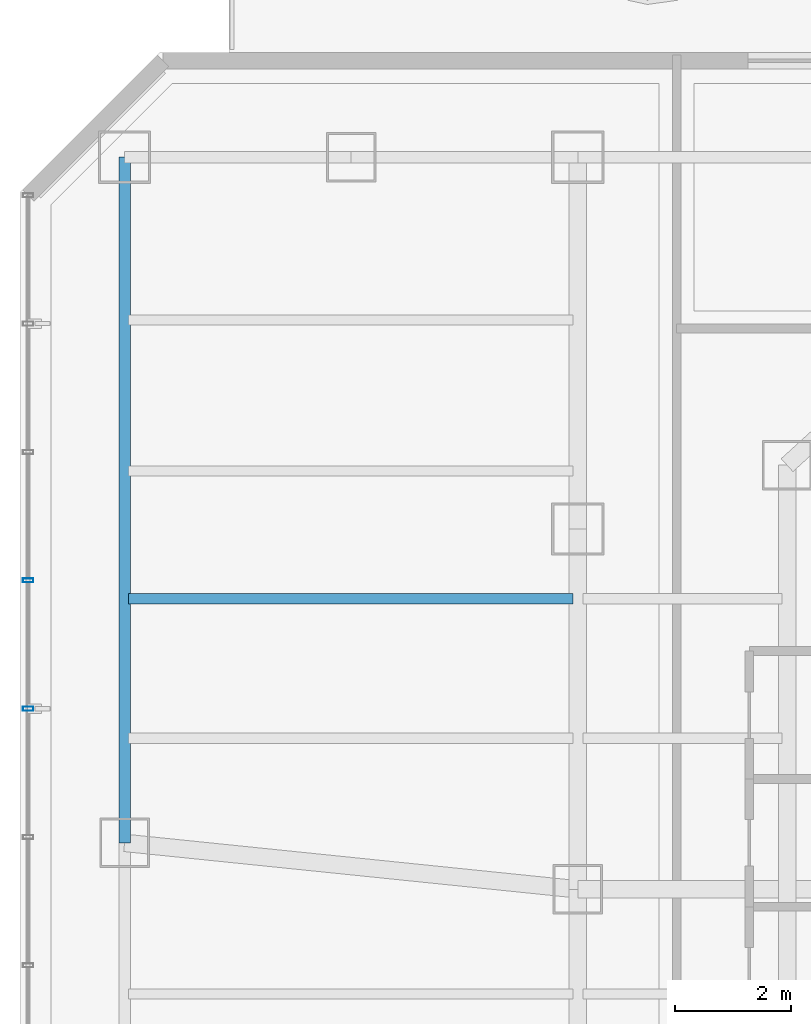
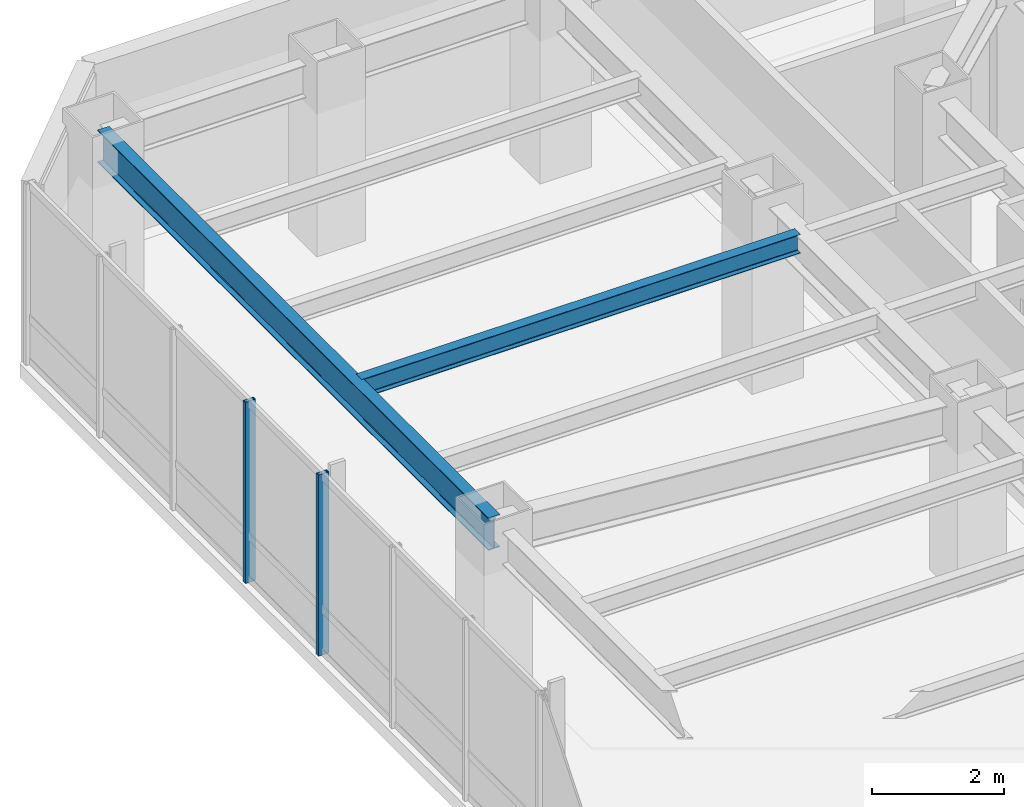
# One storey, part 15 of 29: 2 beams, 2 members, 1 element without a shape of its own.
"""IFC4 building model written with IfcOpenShell, lengths in metres."""

import ifcopenshell
import ifcopenshell.guid

model = None  # the IFC model being written
_history = None  # IfcOwnerHistory: only IFC2X3 demands one
_inside = {}  # id of a spatial element -> (the spatial element, [elements in it])
_under = {}  # id of a project, library or spatial element -> (it, [spatial elements below it])
_declared = {}  # id of a project -> (the project, [libraries it declares])
_typed = {}  # id of a type object -> (the type object, [elements of that type])
_made_of = {}  # id of a material, layer set ... -> (it, [elements and type objects made of it])


def new_model(schema):
    """Start an empty IFC model of exactly this schema.

    Asked for "IFC4X3", IfcOpenShell would pick the latest addendum, in which some entities
    have other attributes; the version numbers below select the first issue.
    IFC2X3 requires an IfcOwnerHistory on every rooted entity: one is made here for all.
    """
    global model, _history
    if schema == "IFC4X3":
        model = ifcopenshell.file(schema_version=(4, 3, 0, 0))
    else:
        model = ifcopenshell.file(schema=schema)
    _inside.clear()
    _under.clear()
    _declared.clear()
    _typed.clear()
    _made_of.clear()
    _history = None
    if model.schema == "IFC2X3":
        org = make("IfcOrganization", Name="unknown")
        user = make(
            "IfcPersonAndOrganization",
            ThePerson=make("IfcPerson", FamilyName="unknown"),
            TheOrganization=org,
        )
        app = make(
            "IfcApplication",
            ApplicationDeveloper=org,
            Version="unknown",
            ApplicationFullName="unknown",
            ApplicationIdentifier="unknown",
        )
        _history = make(
            "IfcOwnerHistory",
            OwningUser=user,
            OwningApplication=app,
            ChangeAction="ADDED",
            CreationDate=0,
        )
    return model


def make(cls, **values):
    """One entity of the class cls with the attributes given. An attribute that is None is left unset."""
    return model.create_entity(
        cls, **{name: value for name, value in values.items() if value is not None}
    )


def rooted(cls, **values):
    """An entity with a GlobalId (a new one), such as an element, a storey or a relation."""
    return make(cls, GlobalId=ifcopenshell.guid.new(), OwnerHistory=_history, **values)


def si_unit(unit_type, name, prefix=None):
    """IfcSIUnit, for example si_unit("LENGTHUNIT", "METRE", prefix="MILLI")."""
    return make("IfcSIUnit", UnitType=unit_type, Prefix=prefix, Name=name)


def assignment(units):
    """IfcUnitAssignment: the units of a project."""
    return None if units is None else make("IfcUnitAssignment", Units=units)


def point(xyz):
    """IfcCartesianPoint."""
    return None if xyz is None else make("IfcCartesianPoint", Coordinates=xyz)


def direction(xyz):
    """IfcDirection."""
    return None if xyz is None else make("IfcDirection", DirectionRatios=xyz)


def frame(location, z_axis=None, x_axis=None):
    """IfcAxis2Placement3D, a coordinate frame: its origin and axes. An axis left out is left unset."""
    return make(
        "IfcAxis2Placement3D",
        Location=point(location),
        Axis=direction(z_axis),
        RefDirection=direction(x_axis),
    )


def frame_2d(location, x_axis=None):
    """IfcAxis2Placement2D, a coordinate frame in the plane: its origin and x axis."""
    return make(
        "IfcAxis2Placement2D", Location=point(location), RefDirection=direction(x_axis)
    )


def origin():
    """The frame at (0, 0, 0) with its axes left unset."""
    return frame((0.0, 0.0, 0.0))


def origin_2d():
    """The frame at (0, 0) in the plane with its x axis left unset."""
    return frame_2d((0.0, 0.0))


def place(relative_to, where):
    """IfcLocalPlacement: puts the frame where relative to a parent placement (None: the world)."""
    return make(
        "IfcLocalPlacement", PlacementRelTo=relative_to, RelativePlacement=where
    )


def context(
    kind, dimensions, precision=None, world=None, true_north=None, identifier=None
):
    """IfcGeometricRepresentationContext, for example the 3D "Model" context."""
    return make(
        "IfcGeometricRepresentationContext",
        ContextIdentifier=identifier,
        ContextType=kind,
        CoordinateSpaceDimension=dimensions,
        Precision=precision,
        WorldCoordinateSystem=world,
        TrueNorth=true_north,
    )


def subcontext(parent, identifier, kind, view, scale=None):
    """IfcGeometricRepresentationSubContext, for example "Body" below "Model"."""
    return make(
        "IfcGeometricRepresentationSubContext",
        ContextIdentifier=identifier,
        ContextType=kind,
        ParentContext=parent,
        TargetScale=scale,
        TargetView=view,
    )


def project(units=None, contexts=None):
    """IfcProject with its units and contexts."""
    return rooted(
        "IfcProject",
        Name="project",
        RepresentationContexts=contexts,
        UnitsInContext=assignment(units),
    )


def spatial(cls, under=None, at=None, **own):
    """A site, building, storey or space (cls), placed at a placement, below another one or the project."""
    s = rooted(cls, ObjectPlacement=at, **own)
    if under is not None:
        _under.setdefault(under.id(), (under, []))[1].append(s)
    return s


def profile(cls, at=None, kind="AREA", **sizes):
    """A parametric profile (cls). Its sizes go by their IFC names, for example OverallWidth=200.0."""
    return make(cls, ProfileType=kind, Position=at, **sizes)


def hollow_rectangle(**sizes):
    """IfcRectangleHollowProfileDef."""
    return profile("IfcRectangleHollowProfileDef", **sizes)


def i_section(**sizes):
    """IfcIShapeProfileDef."""
    return profile("IfcIShapeProfileDef", **sizes)


def extrude(swept, where, along, depth):
    """IfcExtrudedAreaSolid: the profile swept, set in the frame where, extruded along a direction by depth."""
    return make(
        "IfcExtrudedAreaSolid",
        SweptArea=swept,
        Position=where,
        ExtrudedDirection=direction(along),
        Depth=depth,
    )


def shape(context_of_items, identifier, shape_type, items):
    """IfcShapeRepresentation: the items that make up one representation, for example the "Body"."""
    return make(
        "IfcShapeRepresentation",
        ContextOfItems=context_of_items,
        RepresentationIdentifier=identifier,
        RepresentationType=shape_type,
        Items=items,
    )


def material(Name=None, Category=None):
    """IfcMaterial."""
    return make("IfcMaterial", Name=Name, Category=Category)


def layer(
    of_material, thickness, ventilated=None, Name=None, Category=None, Priority=None
):
    """IfcMaterialLayer: one layer of a wall or slab, of a material (None: an air gap)."""
    return make(
        "IfcMaterialLayer",
        Material=of_material,
        LayerThickness=thickness,
        IsVentilated=ventilated,
        Name=Name,
        Category=Category,
        Priority=Priority,
    )


def layer_set(layers, Name=None):
    """IfcMaterialLayerSet."""
    return make("IfcMaterialLayerSet", MaterialLayers=layers, LayerSetName=Name)


def material_profile(
    of_material, cross_section, Name=None, Category=None, Priority=None
):
    """IfcMaterialProfile: a cross section and its material."""
    return make(
        "IfcMaterialProfile",
        Name=Name,
        Material=of_material,
        Profile=cross_section,
        Priority=Priority,
        Category=Category,
    )


def profile_set(profiles, Name=None, composite=None):
    """IfcMaterialProfileSet."""
    return make(
        "IfcMaterialProfileSet",
        Name=Name,
        MaterialProfiles=profiles,
        CompositeProfile=composite,
    )


def made_of(thing, what):
    """Note that an element or type object is made of a material, layer set ...; save() writes the relation."""
    if what is not None:
        _made_of.setdefault(what.id(), (what, []))[1].append(thing)
    return thing


def type_object(cls, material=None, **own):
    """A type object (cls), such as IfcWallType, which elements share."""
    return made_of(rooted(cls, **own), material)


def element(
    cls,
    number,
    at=None,
    inside=None,
    cuts=None,
    type_object=None,
    material=None,
    context=None,
    identifier="Body",
    shape_type=None,
    held_by="IfcProductDefinitionShape",
    body=None,
    shapes=None,
    **own,
):
    """One element of the class cls, such as IfcWall. Its Tag is "e" and its number.

    at: its placement. inside: the storey or other place that contains it. cuts: it is an
    opening in that element (IfcRelVoidsElement). A single representation is given by context,
    identifier, shape_type and body (its items); several are given by shapes. held_by: the class
    of the entity that holds the representations. save() writes the other relations.
    """
    e = rooted(cls, Tag="e%d" % number, ObjectPlacement=at, **own)
    if body is not None:
        shapes = [shape(context, identifier, shape_type, body)]
    if shapes is not None:
        e.Representation = make(held_by, Representations=shapes)
    if inside is not None:
        _inside.setdefault(inside.id(), (inside, []))[1].append(e)
    if cuts is not None:
        rooted(
            "IfcRelVoidsElement", RelatingBuildingElement=cuts, RelatedOpeningElement=e
        )
    if type_object is not None:
        _typed.setdefault(type_object.id(), (type_object, []))[1].append(e)
    return made_of(e, material)


def aggregate(whole, parts):
    """IfcRelAggregates: a whole, such as a stair, and the parts it consists of."""
    return rooted("IfcRelAggregates", RelatingObject=whole, RelatedObjects=parts)


def save(model, path):
    """Write the relations noted so far, then the file.

    IfcRelAggregates (storeys below a building ...), IfcRelContainedInSpatialStructure (elements
    in a storey), IfcRelDefinesByType, IfcRelAssociatesMaterial and IfcRelDeclares: one each for
    every whole, place, type object, material and project.
    """
    for whole, parts in _under.values():
        aggregate(whole, parts)
    for where, things in _inside.values():
        rooted(
            "IfcRelContainedInSpatialStructure",
            RelatedElements=things,
            RelatingStructure=where,
        )
    for kind, things in _typed.values():
        rooted("IfcRelDefinesByType", RelatedObjects=things, RelatingType=kind)
    for what, things in _made_of.values():
        rooted("IfcRelAssociatesMaterial", RelatedObjects=things, RelatingMaterial=what)
    for by, libraries in _declared.values():
        rooted("IfcRelDeclares", RelatingContext=by, RelatedDefinitions=libraries)
    model.write(path)


model = new_model("IFC4")

# Units and contexts
model_context = context("Model", 3, precision=1e-05, world=origin(), true_north=direction((0.0, 1.0)))
body_context = subcontext(model_context, "Body", "Model", "MODEL_VIEW")
ifc_project = project(units=[si_unit("LENGTHUNIT", "METRE"), si_unit("AREAUNIT", "SQUARE_METRE"), si_unit("VOLUMEUNIT", "CUBIC_METRE"), si_unit("PLANEANGLEUNIT", "RADIAN"), si_unit("MASSUNIT", "GRAM", prefix="KILO")], contexts=[model_context])

# Site, building, storey
site_placement = place(None, origin())
site = spatial("IfcSite", under=ifc_project, at=site_placement, CompositionType="ELEMENT")
building_placement = place(site_placement, origin())
building = spatial("IfcBuilding", under=site, at=building_placement, Name="Hatsunagi Terrace Concourse", CompositionType="ELEMENT")
storey_placement = place(building_placement, frame((0.0, 0.0, 126.449951171875)))
storey = spatial("IfcBuildingStorey", under=building, at=storey_placement, Name="L33", CompositionType="ELEMENT", Elevation=126.449951171875)

# Curtain wall, members
ifc_material_1 = material(Name="Anodised Aluminium Alloy 6063-T5", Category="aluminium")
ifc_layer = layer(ifc_material_1, 0.199951171875)
ifc_layer_set = layer_set([ifc_layer], Name="OfficeZone1_CW03")
curtain_wall_type = type_object("IfcCurtainWallType", Name="OfficeZone1_CW03", PredefinedType="NOTDEFINED", material=ifc_layer_set)
curtain_wall_placement = place(storey_placement, origin())
curtain_wall = element("IfcCurtainWall", 1, at=curtain_wall_placement, inside=storey, type_object=curtain_wall_type, Name="Unitised Curtain Wall CW-03 CW-L33-09", PredefinedType="NOTDEFINED")
ifc_material_2 = material(Name="Anodised Aluminium Alloy 6063-T5", Category="aluminium")
ifc_material_profile_1 = material_profile(ifc_material_2, hollow_rectangle(XDim=0.070068359375, YDim=0.179931640625, WallThickness=0.00390625, at=origin_2d()), Name="ALU-MUL-180x70x4")
ifc_profile_set_1 = profile_set([ifc_material_profile_1], Name="Anodised Aluminium Alloy 6063-T5")
member_type = type_object("IfcMemberType", Name="CurtainWallMullion_180x70", PredefinedType="MULLION", material=ifc_profile_set_1)
member_1_placement = place(storey_placement, frame((9.739990234375, 39.10791015625, 0.0), z_axis=(0.0, 0.0, 1.0), x_axis=(0.0, 1.0, 0.0)))
member_1 = element("IfcMember", 2, at=member_1_placement, type_object=member_type, Name="Curtain Wall Mullion MUL-02", PredefinedType="MULLION", context=body_context, shape_type="SweptSolid", body=[
    extrude(hollow_rectangle(XDim=0.070068359375, YDim=0.179931640625, WallThickness=0.00390625, at=origin_2d()), origin(), (0.0, 0.0, 1.0), 3.340087890625),
])
member_2_placement = place(storey_placement, frame((9.739990234375, 41.31689453125, 0.0), z_axis=(0.0, 0.0, 1.0), x_axis=(0.0, 1.0, 0.0)))
member_2 = element("IfcMember", 3, at=member_2_placement, type_object=member_type, Name="Curtain Wall Mullion MUL-02", PredefinedType="MULLION", context=body_context, shape_type="SweptSolid", body=[
    extrude(hollow_rectangle(XDim=0.070068359375, YDim=0.179931640625, WallThickness=0.00390625, at=origin_2d()), origin(), (0.0, 0.0, 1.0), 3.340087890625),
])
aggregate(curtain_wall, [member_1, member_2])

# Beams
ifc_material_3 = material(Name="Steel SN490B", Category="steel")
ifc_material_profile_2 = material_profile(ifc_material_3, i_section(OverallWidth=0.175048828125, OverallDepth=0.35009765625, WebThickness=0.007080078125, FlangeThickness=0.010986328125, FilletRadius=0.012939453125, at=origin_2d()), Name="H-350x175x7x11")
ifc_profile_set_2 = profile_set([ifc_material_profile_2], Name="Steel SN490B")
beam_type_1 = type_object("IfcBeamType", Name="HotelJoist_H_350x175", PredefinedType="JOIST", material=ifc_profile_set_2)
beam_1_placement = place(storey_placement, frame((11.465087890625, 41.0, 3.175048828125), z_axis=(1.0, 0.0, 0.0), x_axis=(0.0, 1.0, 0.0)))
element("IfcBeam", 4, at=beam_1_placement, inside=storey, type_object=beam_type_1, Name="Beam J-02 J-L33-W-11-410", PredefinedType="JOIST", context=body_context, shape_type="SweptSolid", body=[
    extrude(i_section(OverallWidth=0.175048828125, OverallDepth=0.35009765625, WebThickness=0.007080078125, FlangeThickness=0.010986328125, FilletRadius=0.012939453125, at=origin_2d()), origin(), (0.0, 0.0, 1.0), 7.64990234375),
])
ifc_material_4 = material(Name="Steel SN490B", Category="steel")
ifc_material_profile_3 = material_profile(ifc_material_4, i_section(OverallWidth=0.199951171875, OverallDepth=0.60009765625, WebThickness=0.010986328125, FlangeThickness=0.01708984375, FilletRadius=0.01806640625, at=origin_2d()), Name="H-600x200x11x17")
ifc_profile_set_3 = profile_set([ifc_material_profile_3], Name="Steel SN490B")
beam_type_2 = type_object("IfcBeamType", Name="PerimeterSpandrel_H_600x200", PredefinedType="SPANDREL", material=ifc_profile_set_3)
beam_2_placement = place(storey_placement, frame((11.39990234375, 36.800048828125, 3.050048828125), z_axis=(0.0, 1.0, 0.0), x_axis=(-1.0, 0.0, 0.0)))
element("IfcBeam", 5, at=beam_2_placement, inside=storey, type_object=beam_type_2, Name="Beam SP-01 BM-L33-NS-11-36", PredefinedType="SPANDREL", context=body_context, shape_type="SweptSolid", body=[
    extrude(i_section(OverallWidth=0.199951171875, OverallDepth=0.60009765625, WebThickness=0.010986328125, FlangeThickness=0.01708984375, FilletRadius=0.01806640625, at=origin_2d()), origin(), (0.0, 0.0, 1.0), 11.800048828125),
])

save(model, "model.ifc")
